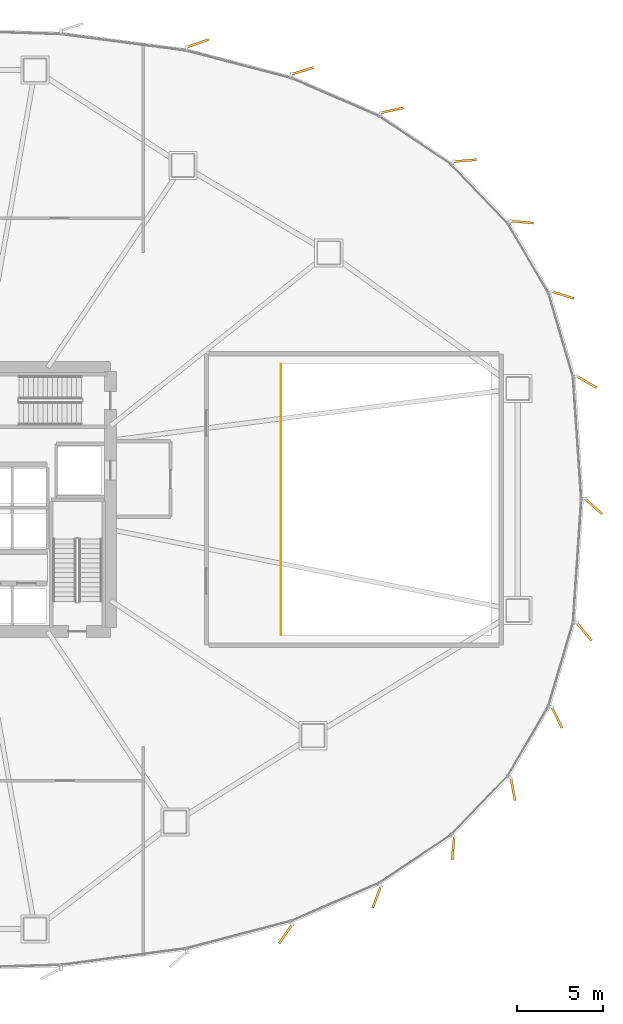
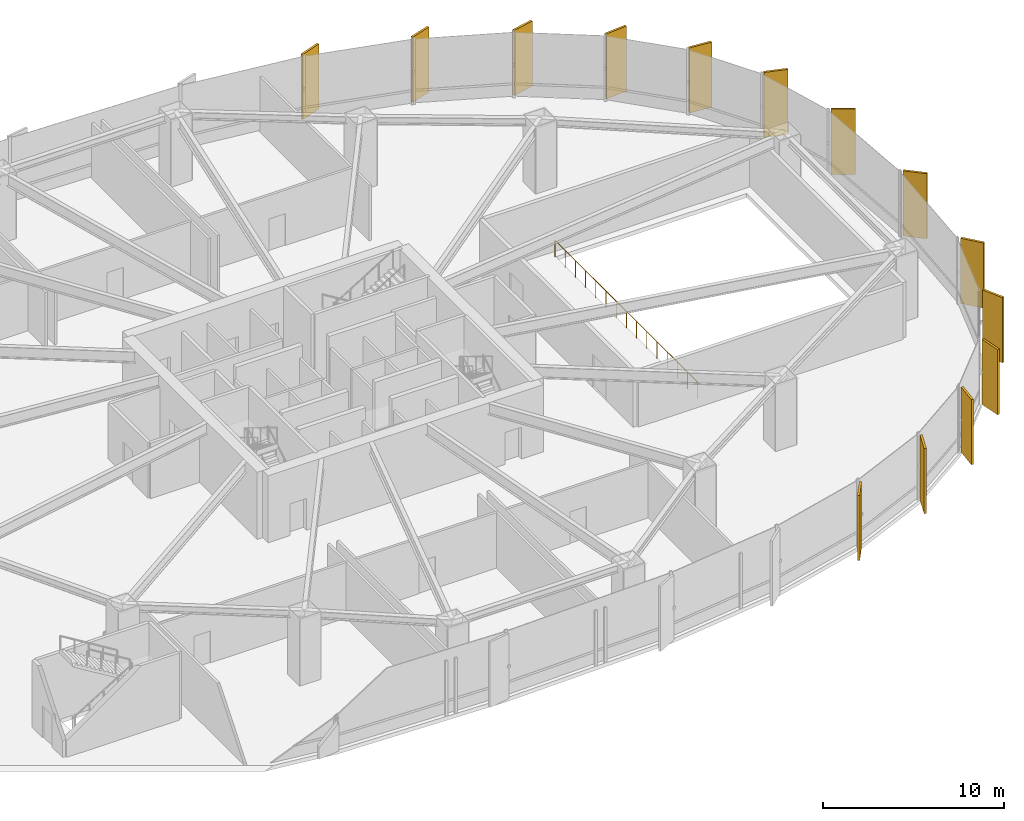
# One storey, part 34 of 34: 14 coverings, 1 railing.
"""IFC4 building model written with IfcOpenShell, lengths in metres."""

from ifc_helpers import new_model, si_unit, direction, frame, origin, origin_2d, place, context, subcontext, project, spatial, rectangle, circle, extrude, source, transform, mapped, material, layer, layer_set, type_object, element, save


model = new_model("IFC4")

# Units and contexts
model_context = context("Model", 3, precision=1e-05, world=origin(), true_north=direction((0.0, 1.0)))
body_context = subcontext(model_context, "Body", "Model", "MODEL_VIEW")
ifc_project = project(units=[si_unit("LENGTHUNIT", "METRE"), si_unit("AREAUNIT", "SQUARE_METRE"), si_unit("VOLUMEUNIT", "CUBIC_METRE"), si_unit("PLANEANGLEUNIT", "RADIAN"), si_unit("MASSUNIT", "GRAM", prefix="KILO"), si_unit("THERMODYNAMICTEMPERATUREUNIT", "KELVIN")], contexts=[model_context])

# Site, building, storey
site_placement = place(None, origin())
site = spatial("IfcSite", under=ifc_project, at=site_placement, CompositionType="ELEMENT")
building_placement = place(site_placement, origin())
building = spatial("IfcBuilding", under=site, at=building_placement, Name="Kethvar Cultural Tower", CompositionType="ELEMENT")
storey_placement = place(building_placement, frame((0.0, 0.0, 14.800048828125)))
storey = spatial("IfcBuildingStorey", under=building, at=storey_placement, Name="L03", CompositionType="ELEMENT", Elevation=14.800048828125)

# Railing
ifc_material_1 = material(Name="Steel S355J2", Category="steel")
railing_type = type_object("IfcRailingType", Name="RL-INT-ATRIUM-1150", PredefinedType="BALUSTRADE", material=ifc_material_1)
railing_placement = place(storey_placement, frame((65.550048828125, 19.89990234375, 0.0)))
element("IfcRailing", 1, at=railing_placement, inside=storey, type_object=railing_type, Name="L03 Auditorium Balcony Gallery Guard", PredefinedType="BALUSTRADE", context=body_context, shape_type="SweptSolid", body=[
    extrude(circle(Radius=0.02392578125, at=origin_2d()), frame((0.0, 0.0, 1.1259765625), z_axis=(0.0, 1.0, 0.0), x_axis=(-1.0, 0.0, 0.0)), (0.0, 0.0, 1.0), 15.800048828125),
    extrude(circle(Radius=0.02099609375, at=origin_2d()), origin(), (0.0, 0.0, 1.0), 1.101806640625),
    extrude(circle(Radius=0.02099609375, at=origin_2d()), frame((0.0, 1.128662109375, 0.0)), (0.0, 0.0, 1.0), 1.101806640625),
    extrude(circle(Radius=0.02099609375, at=origin_2d()), frame((0.0, 2.257080078125, 0.0)), (0.0, 0.0, 1.0), 1.101806640625),
    extrude(circle(Radius=0.02099609375, at=origin_2d()), frame((0.0, 3.3857421875, 0.0)), (0.0, 0.0, 1.0), 1.101806640625),
    extrude(circle(Radius=0.02099609375, at=origin_2d()), frame((0.0, 4.514404296875, 0.0)), (0.0, 0.0, 1.0), 1.101806640625),
    extrude(circle(Radius=0.02099609375, at=origin_2d()), frame((0.0, 5.642822265625, 0.0)), (0.0, 0.0, 1.0), 1.101806640625),
    extrude(circle(Radius=0.02099609375, at=origin_2d()), frame((0.0, 6.771484375, 0.0)), (0.0, 0.0, 1.0), 1.101806640625),
    extrude(circle(Radius=0.02099609375, at=origin_2d()), frame((0.0, 7.89990234375, 0.0)), (0.0, 0.0, 1.0), 1.101806640625),
    extrude(circle(Radius=0.02099609375, at=origin_2d()), frame((0.0, 9.028564453125, 0.0)), (0.0, 0.0, 1.0), 1.101806640625),
    extrude(circle(Radius=0.02099609375, at=origin_2d()), frame((0.0, 10.1572265625, 0.0)), (0.0, 0.0, 1.0), 1.101806640625),
    extrude(circle(Radius=0.02099609375, at=origin_2d()), frame((0.0, 11.28564453125, 0.0)), (0.0, 0.0, 1.0), 1.101806640625),
    extrude(circle(Radius=0.02099609375, at=origin_2d()), frame((0.0, 12.414306640625, 0.0)), (0.0, 0.0, 1.0), 1.101806640625),
    extrude(circle(Radius=0.02099609375, at=origin_2d()), frame((0.0, 13.54296875, 0.0)), (0.0, 0.0, 1.0), 1.101806640625),
    extrude(circle(Radius=0.02099609375, at=origin_2d()), frame((0.0, 14.67138671875, 0.0)), (0.0, 0.0, 1.0), 1.101806640625),
    extrude(circle(Radius=0.02099609375, at=origin_2d()), frame((0.0, 15.800048828125, 0.0)), (0.0, 0.0, 1.0), 1.101806640625),
])

# Coverings
ifc_material_2 = material(Name="Extruded Architectural Terracotta", Category="masonry")
ifc_layer = layer(ifc_material_2, 0.135009765625, Name="Extruded Architectural Terracotta", Category="masonry")
ifc_layer_set = layer_set([ifc_layer], Name="Extruded Architectural Terracotta (135 mm)")
covering_type = type_object("IfcCoveringType", Name="Terracotta Facade Fin FIN-04", PredefinedType="CLADDING", material=ifc_layer_set)
shared_shape = source(origin(), body_context, "Body", "SweptSolid", [
    extrude(rectangle(XDim=1.35009765625, YDim=0.135009765625, at=origin_2d()), origin(), (0.0, 0.0, 1.0), 4.39990234375),
])
for number, where, z_axis, x_axis, name in (
    (2, (83.77880859375, 27.403076171875, 0.02001953125), (0.0, 0.0, 1.0), (0.744194976126, -0.66796245217, 0.0), "L03 Vertical Terracotta Fin 1.1"),
    (3, (83.37890625, 34.66357421875, 0.02001953125), (0.0, 0.0, 1.0), (0.865850818101, -0.500302269426, 0.0), "L03 Vertical Terracotta Fin 1.2"),
    (4, (81.988525390625, 39.730712890625, 0.02001953125), (0.0, 0.0, 1.0), (0.954500927457, -0.298207946716, 0.0), "L03 Vertical Terracotta Fin 1.3"),
    (5, (79.6142578125, 43.986572265625, 0.02001953125), (0.0, 0.0, 1.0), (0.995676196569, -0.092891934994, 0.0), "L03 Vertical Terracotta Fin 1.4"),
    (6, (76.2802734375, 47.56884765625, 0.02001953125), (0.0, 0.0, 1.0), (0.996478239533, 0.083851762871, 0.0), "L03 Vertical Terracotta Fin 1.5"),
    (7, (72.01708984375, 50.50341796875, 0.02001953125), (0.0, 0.0, 1.0), (0.976371499317, 0.216098809163, 0.0), "L03 Vertical Terracotta Fin 1.6"),
    (8, (66.79052734375, 52.800537109375, 0.02001953125), (0.0, 0.0, 1.0), (0.954292506446, 0.298874241346, 0.0), "L03 Vertical Terracotta Fin 2.1"),
    (9, (60.697021484375, 54.413818359375, 0.02001953125), (0.0, 0.0, 1.0), (0.943338546589, 0.331831864835, 0.0), "L03 Vertical Terracotta Fin 2.2"),
    (10, (65.822021484375, 2.4619140625, 0.02001953125), (0.0, 0.0, 1.0), (-0.567556381667, -0.823334533242, 0.0), "L03 Vertical Terracotta Fin 5.5"),
    (11, (71.1357421875, 4.61669921875, 0.02001953125), (0.0, 0.0, 1.0), (-0.348081239861, -0.9374643729, 0.0), "L03 Vertical Terracotta Fin 5.6"),
    (12, (75.5927734375, 7.461669921875, 0.02001953125), (0.0, 0.0, 1.0), (-0.091501618663, -0.995804927575, 0.0), "L03 Vertical Terracotta Fin 6.1"),
    (13, (79.076904296875, 10.90234375, 0.02001953125), (0.0, 0.0, 1.0), (0.182750331554, -0.983159354488, 0.0), "L03 Vertical Terracotta Fin 6.2"),
    (14, (81.648193359375, 15.079345703125, 0.02001953125), (0.0, 0.0, 1.0), (0.43915532554, -0.898411153119, 0.0), "L03 Vertical Terracotta Fin 6.3"),
    (15, (83.229248046875, 20.09716796875, 0.02001953125), (0.0, 0.0, 1.0), (0.639707339446, -0.768618578918, 0.0), "L03 Vertical Terracotta Fin 6.4"),
):
    element("IfcCovering", number, at=place(storey_placement, frame(where, z_axis=z_axis, x_axis=x_axis)), inside=storey, type_object=covering_type, Name=name, PredefinedType="CLADDING", context=body_context, shape_type="MappedRepresentation", body=[
        mapped(shared_shape, transform((0.0, 0.0, 0.0), scale=1.0)),
    ])

save(model, "model.ifc")
